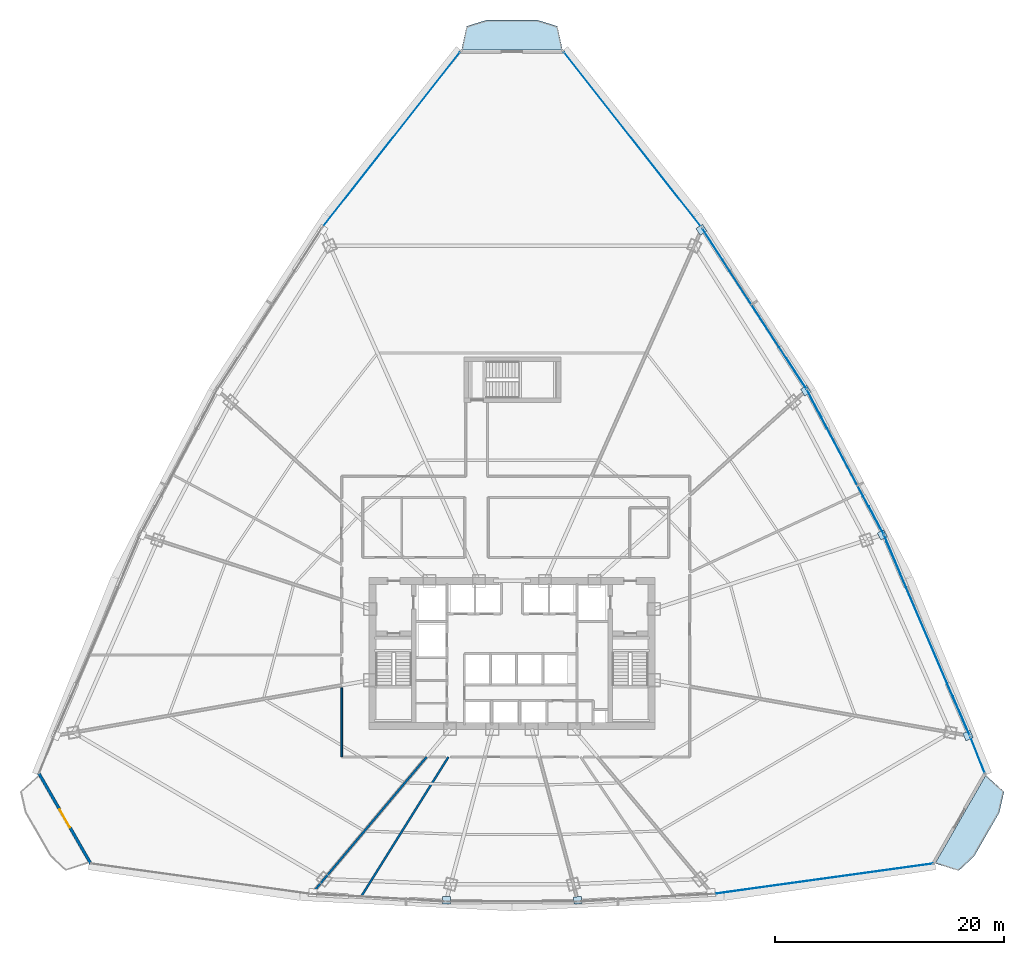
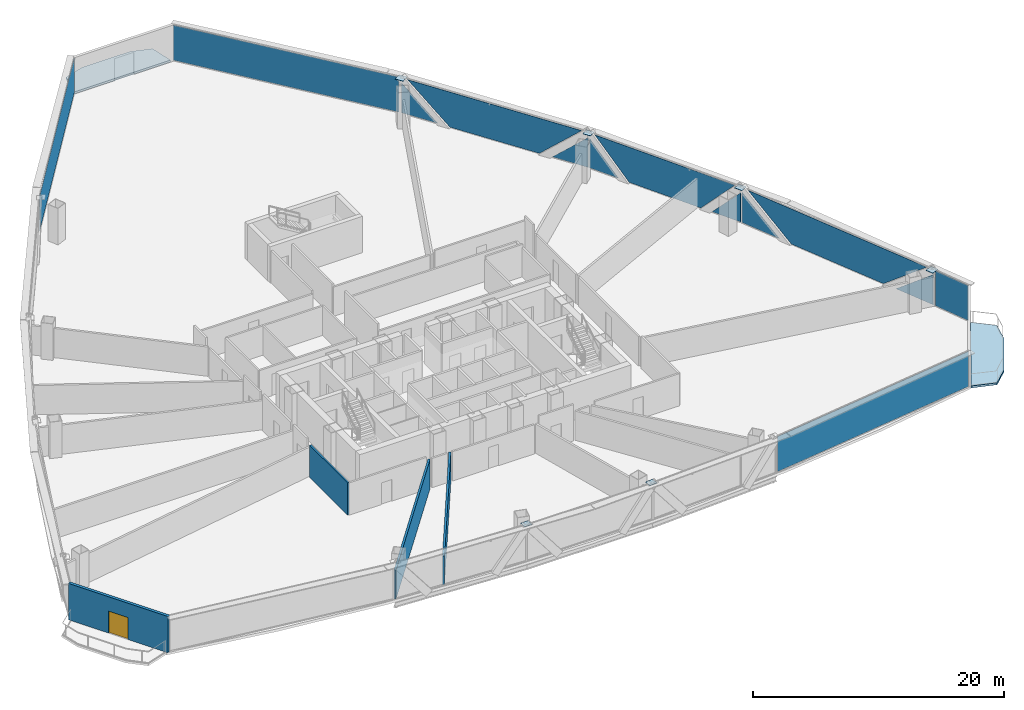
# One storey, part 28 of 36: 19 plates, 4 walls, 2 slabs, 1 door, 1 opening, 7 elements without a shape of their own.
"""IFC4 building model written with IfcOpenShell, lengths in metres."""

from ifc_helpers import new_model, si_unit, direction, frame, frame_2d, origin, origin_with_axes, origin_2d, place, context, subcontext, project, spatial, polyline, rectangle, outline, extrude, source, transform, mapped, material, layer, layer_set, type_object, element, fill, aggregate, save


model = new_model("IFC4")

# Units and contexts
model_context = context("Model", 3, precision=1e-05, world=origin(), true_north=direction((0.0, 1.0)))
body_context = subcontext(model_context, "Body", "Model", "MODEL_VIEW")
ifc_project = project(units=[si_unit("LENGTHUNIT", "METRE"), si_unit("AREAUNIT", "SQUARE_METRE"), si_unit("VOLUMEUNIT", "CUBIC_METRE"), si_unit("PLANEANGLEUNIT", "RADIAN"), si_unit("MASSUNIT", "GRAM", prefix="KILO"), si_unit("THERMODYNAMICTEMPERATUREUNIT", "KELVIN"), si_unit("POWERUNIT", "WATT")], contexts=[model_context])

# Site, building, storey
site_placement = place(None, origin())
site = spatial("IfcSite", under=ifc_project, at=site_placement, CompositionType="ELEMENT")
building_placement = place(site_placement, origin())
building = spatial("IfcBuilding", under=site, at=building_placement, Name="Yunzhuo Pagoda Commons", CompositionType="ELEMENT")
storey_placement = place(building_placement, frame((0.0, 0.0, 107.780029296875)))
storey = spatial("IfcBuildingStorey", under=building, at=storey_placement, Name="L27", CompositionType="ELEMENT", Elevation=107.780029296875)

# Curtain wall, plates
ifc_material_1 = material(Name="Anodized aluminium 6063-T6", Category="aluminium")
ifc_layer_1 = layer(ifc_material_1, 0.1650390625)
ifc_layer_set_1 = layer_set([ifc_layer_1], Name="Anodized aluminium 6063-T6")
curtain_wall_type = type_object("IfcCurtainWallType", Name="CW-LOW Low-Zone Ribbon Curtain Wall", PredefinedType="NOTDEFINED", material=ifc_layer_set_1)
curtain_wall_1_placement = place(storey_placement, origin())
curtain_wall_1 = element("IfcCurtainWall", 1, at=curtain_wall_1_placement, inside=storey, type_object=curtain_wall_type, Name="L27 curtain wall CW-L27-F2B2", PredefinedType="NOTDEFINED")
ifc_material_2 = material(Name="Tempered low-e double glazing", Category="glass")
ifc_layer_2 = layer(ifc_material_2, 0.028076171875)
ifc_layer_set_2 = layer_set([ifc_layer_2], Name="Tempered low-e double glazing")
plate_type_1 = type_object("IfcPlateType", Name="CW-LOW-P Low-E Double Glazing 28", PredefinedType="CURTAIN_PANEL", material=ifc_layer_set_2)
plate_1_placement = place(storey_placement, frame((87.296142578125, 28.39697265625, 1.53173828125), z_axis=(0.919516302226, 0.39305186673, 0.0), x_axis=(-0.39305186673, 0.919516302226, 0.0)))
plate_1 = element("IfcPlate", 2, at=plate_1_placement, type_object=plate_type_1, Name="CW panel 1.1 lite 1", PredefinedType="CURTAIN_PANEL", context=body_context, shape_type="SweptSolid", body=[
    extrude(outline(polyline([(-1.85693359375, -1.4716796875), (1.85693359375, -1.4716796875), (-1.85693359375, 1.4716796875), (-1.85693359375, -1.4716796875)])), origin(), (0.0, 0.0, 1.0), 0.028076171875),
])
plate_2_placement = place(storey_placement, frame((84.25537109375, 35.4345703125, 1.77001953125), z_axis=(0.919516302226, 0.39305186673, 0.0), x_axis=(-0.39305186673, 0.919516302226, 0.0)))
plate_2 = element("IfcPlate", 3, at=plate_2_placement, type_object=plate_type_1, Name="CW panel 1.1 lite 2", PredefinedType="CURTAIN_PANEL", context=body_context, shape_type="SweptSolid", body=[
    extrude(outline(polyline([(-8.90087890625, 1.7099609375), (-4.586181640625, -1.7099609375), (4.586181640625, -1.7099609375), (8.90087890625, 1.7099609375), (-8.90087890625, 1.7099609375)])), origin(), (0.0, 0.0, 1.0), 0.028076171875),
])
plate_3_placement = place(storey_placement, frame((81.269775390625, 42.495849609375, 1.53173828125), z_axis=(0.919516302226, 0.39305186673, 0.0), x_axis=(-0.39305186673, 0.919516302226, 0.0)))
plate_3 = element("IfcPlate", 4, at=plate_3_placement, type_object=plate_type_1, Name="CW panel 1.1 lite 3", PredefinedType="CURTAIN_PANEL", context=body_context, shape_type="SweptSolid", body=[
    extrude(outline(polyline([(-1.85693359375, -1.4716796875), (1.85693359375, -1.4716796875), (1.85693359375, 1.4716796875), (-1.85693359375, -1.4716796875)])), origin(), (0.0, 0.0, 1.0), 0.028076171875),
])
aggregate(curtain_wall_1, [plate_1, plate_2, plate_3])

curtain_wall_2_placement = place(storey_placement, origin())
curtain_wall_2 = element("IfcCurtainWall", 5, at=curtain_wall_2_placement, inside=storey, type_object=curtain_wall_type, Name="L27 curtain wall CW-L27-F2B3", PredefinedType="NOTDEFINED")
plate_4_placement = place(storey_placement, frame((79.85205078125, 45.509765625, 1.48876953125), z_axis=(0.883152288181, 0.469086384241, 0.0), x_axis=(-0.469086384241, 0.883152288181, 0.0)))
plate_4 = element("IfcPlate", 6, at=plate_4_placement, type_object=plate_type_1, Name="CW panel 1.1 lite 1", PredefinedType="CURTAIN_PANEL", context=body_context, shape_type="SweptSolid", body=[
    extrude(outline(polyline([(-1.34765625, -1.4287109375), (1.34765625, -1.4287109375), (-1.34765625, 1.4287109375), (-1.34765625, -1.4287109375)])), origin(), (0.0, 0.0, 1.0), 0.028076171875),
])
plate_5_placement = place(storey_placement, frame((77.125244140625, 50.57958984375, 1.77001953125), z_axis=(0.883152288181, 0.469086384241, 0.0), x_axis=(-0.469086384241, 0.883152288181, 0.0)))
plate_5 = element("IfcPlate", 7, at=plate_5_placement, type_object=plate_type_1, Name="CW panel 1.1 lite 2", PredefinedType="CURTAIN_PANEL", context=body_context, shape_type="SweptSolid", body=[
    extrude(outline(polyline([(-6.590087890625, 1.7099609375), (-3.364013671875, -1.7099609375), (3.364013671875, -1.7099609375), (6.590087890625, 1.7099609375), (-6.590087890625, 1.7099609375)])), origin(), (0.0, 0.0, 1.0), 0.028076171875),
])
plate_6_placement = place(storey_placement, frame((74.45166015625, 55.677490234375, 1.48876953125), z_axis=(0.883152288181, 0.469086384241, 0.0), x_axis=(-0.469086384241, 0.883152288181, 0.0)))
plate_6 = element("IfcPlate", 8, at=plate_6_placement, type_object=plate_type_1, Name="CW panel 1.1 lite 3", PredefinedType="CURTAIN_PANEL", context=body_context, shape_type="SweptSolid", body=[
    extrude(outline(polyline([(-1.34765625, -1.4287109375), (1.34765625, -1.4287109375), (1.34765625, 1.4287109375), (-1.34765625, -1.4287109375)])), origin(), (0.0, 0.0, 1.0), 0.028076171875),
])
aggregate(curtain_wall_2, [plate_4, plate_5, plate_6])

curtain_wall_3_placement = place(storey_placement, origin())
curtain_wall_3 = element("IfcCurtainWall", 9, at=curtain_wall_3_placement, inside=storey, type_object=curtain_wall_type, Name="L27 curtain wall CW-L27-F2B4", PredefinedType="NOTDEFINED")
plate_7_placement = place(storey_placement, frame((72.876953125, 58.331298828125, 1.5146484375), z_axis=(0.839039875799, 0.544069928244, 0.0), x_axis=(-0.544069928244, 0.839039875799, 0.0)))
plate_7 = element("IfcPlate", 10, at=plate_7_placement, type_object=plate_type_1, Name="CW panel 1.1 lite 1", PredefinedType="CURTAIN_PANEL", context=body_context, shape_type="SweptSolid", body=[
    extrude(outline(polyline([(-1.6123046875, -1.45458984375), (1.6123046875, -1.45458984375), (-1.6123046875, 1.454833984375), (-1.6123046875, -1.45458984375)])), origin(), (0.0, 0.0, 1.0), 0.028076171875),
])
plate_8_placement = place(storey_placement, frame((69.181884765625, 63.974853515625, 1.77001953125), z_axis=(0.839039875799, 0.544069928244, 0.0), x_axis=(-0.544069928244, 0.839039875799, 0.0)))
plate_8 = element("IfcPlate", 11, at=plate_8_placement, type_object=plate_type_1, Name="CW panel 1.1 lite 2", PredefinedType="CURTAIN_PANEL", context=body_context, shape_type="SweptSolid", body=[
    extrude(outline(polyline([(-7.7890625, 1.7099609375), (-3.998779296875, -1.7099609375), (3.998779296875, -1.7099609375), (7.7890625, 1.7099609375), (-7.7890625, 1.7099609375)])), origin(), (0.0, 0.0, 1.0), 0.028076171875),
])
plate_9_placement = place(storey_placement, frame((65.537109375, 69.650634765625, 1.5146484375), z_axis=(0.839039875799, 0.544069928244, 0.0), x_axis=(-0.544069928244, 0.839039875799, 0.0)))
plate_9 = element("IfcPlate", 12, at=plate_9_placement, type_object=plate_type_1, Name="CW panel 1.1 lite 3", PredefinedType="CURTAIN_PANEL", context=body_context, shape_type="SweptSolid", body=[
    extrude(outline(polyline([(-1.6123046875, -1.45458984375), (1.6123046875, -1.45458984375), (1.6123046875, 1.454833984375), (-1.6123046875, -1.45458984375)])), origin(), (0.0, 0.0, 1.0), 0.028076171875),
])
aggregate(curtain_wall_3, [plate_7, plate_8, plate_9])

# Slabs
ifc_material_3 = material(Name="Concrete C40", Category="concrete")
ifc_layer_3 = layer(ifc_material_3, 0.199951171875)
ifc_layer_set_3 = layer_set([ifc_layer_3], Name="Concrete C40")
slab_type = type_object("IfcSlabType", Name="SL-BAL Vertex Balcony Deck Slab 200", PredefinedType="FLOOR", material=ifc_layer_set_3)
slab_1_placement = place(storey_placement, frame((0.0, 0.0, -0.199951171875)))
element("IfcSlab", 13, at=slab_1_placement, inside=storey, type_object=slab_type, Name="L27 corner balcony V2", PredefinedType="FLOOR", context=body_context, shape_type="SweptSolid", body=[
    extrude(outline(polyline([(85.02734375, 15.49072265625), (89.449462890625, 23.1923828125), (91.042236328125, 21.7587890625), (90.6376953125, 19.949951171875), (88.426513671875, 16.09912109375), (87.068115234375, 14.837890625), (85.02734375, 15.49072265625)])), origin(), (0.0, 0.0, 1.0), 0.199951171875),
])
slab_2_placement = place(storey_placement, frame((0.0, 0.0, -0.199951171875)))
element("IfcSlab", 14, at=slab_2_placement, inside=storey, type_object=slab_type, Name="L27 corner balcony V3", PredefinedType="FLOOR", context=body_context, shape_type="SweptSolid", body=[
    extrude(outline(polyline([(52.422119140625, 86.6240234375), (43.577880859375, 86.6240234375), (44.02783203125, 88.718994140625), (45.788818359375, 89.26904296875), (50.211181640625, 89.26904296875), (51.97216796875, 88.718994140625), (52.422119140625, 86.6240234375)])), origin(), (0.0, 0.0, 1.0), 0.199951171875),
])

# Plates
ifc_material_4 = material(Name="Structural steel Q355B", Category="steel")
ifc_layer_4 = layer(ifc_material_4, 0.028076171875)
ifc_layer_set_4 = layer_set([ifc_layer_4], Name="Structural steel Q355B")
plate_type_2 = type_object("IfcPlateType", Name="SP-ND1 Lattice Node Cap Plate 800x500x28", PredefinedType="USERDEFINED", material=ifc_layer_set_4)
shared_shape_1 = source(origin(), body_context, "Body", "SweptSolid", [
    extrude(rectangle(XDim=0.699951171875, YDim=0.631591796875, at=origin_2d()), origin(), (0.0, 0.0, 1.0), 0.035888671875),
])
plate_10_placement = place(storey_placement, frame((73.69677734375, 56.83740234375, 3.501953125), z_axis=(0.0, 0.0, 1.0), x_axis=(-0.54406804394, 0.839041097661, 0.0)))
element("IfcPlate", 15, at=plate_10_placement, inside=storey, type_object=plate_type_2, Name="L27 setback lattice tie plate F2.3L", ObjectType="STIFFENER_PLATE", PredefinedType="USERDEFINED", context=body_context, shape_type="MappedRepresentation", body=[
    mapped(shared_shape_1, transform((0.0, 0.0, 0.0), scale=1.0)),
])
shared_shape_2 = source(origin(), body_context, "Body", "SweptSolid", [
    extrude(rectangle(XDim=0.699951171875, YDim=0.694091796875, at=origin_2d()), origin(), (0.0, 0.0, 1.0), 0.035888671875),
])
plate_11_placement = place(storey_placement, frame((87.895263671875, 26.665283203125, 3.501953125), z_axis=(0.0, 0.0, 1.0), x_axis=(-0.393059421637, 0.919513072807, 0.0)))
element("IfcPlate", 16, at=plate_11_placement, inside=storey, type_object=plate_type_2, Name="L27 setback lattice tie plate F2.1L", ObjectType="STIFFENER_PLATE", PredefinedType="USERDEFINED", context=body_context, shape_type="MappedRepresentation", body=[
    mapped(shared_shape_2, transform((0.0, 0.0, 0.0), scale=1.0)),
])
shared_shape_3 = source(origin(), body_context, "Body", "SweptSolid", [
    extrude(rectangle(XDim=0.699951171875, YDim=0.6328125, at=origin_2d()), origin(), (0.0, 0.0, 1.0), 0.035888671875),
])
plate_12_placement = place(storey_placement, frame((80.392578125, 44.22509765625, 3.501953125), z_axis=(0.0, 0.0, 1.0), x_axis=(-0.469086259542, 0.883152354415, 0.0)))
element("IfcPlate", 17, at=plate_12_placement, inside=storey, type_object=plate_type_2, Name="L27 setback lattice tie plate F2.2L", ObjectType="STIFFENER_PLATE", PredefinedType="USERDEFINED", context=body_context, shape_type="MappedRepresentation", body=[
    mapped(shared_shape_3, transform((0.0, 0.0, 0.0), scale=1.0)),
])
shared_shape_4 = source(origin(), body_context, "Body", "SweptSolid", [
    extrude(rectangle(XDim=0.699951171875, YDim=0.622314453125, at=origin_2d()), origin(), (0.0, 0.0, 1.0), 0.035888671875),
])
for number, where, z_axis, x_axis, name in (
    (18, (42.2548828125, 12.259521484375, 3.501953125), (0.0, 0.0, 1.0), (1.0, 0.0, 0.0), "L27 setback lattice tie plate F1.2L"),
    (19, (53.7451171875, 12.259521484375, 3.501953125), (0.0, 0.0, 1.0), (0.998365841392, 0.057145837479, 0.0), "L27 setback lattice tie plate F1.3L"),
):
    element("IfcPlate", number, at=place(storey_placement, frame(where, z_axis=z_axis, x_axis=x_axis)), inside=storey, type_object=plate_type_2, Name=name, ObjectType="STIFFENER_PLATE", PredefinedType="USERDEFINED", context=body_context, shape_type="MappedRepresentation", body=[
        mapped(shared_shape_4, transform((0.0, 0.0, 0.0), scale=1.0)),
    ])
shared_shape_5 = source(origin(), body_context, "Body", "SweptSolid", [
    extrude(rectangle(XDim=0.699951171875, YDim=0.67919921875, at=origin_2d()), origin(), (0.0, 0.0, 1.0), 0.035888671875),
])
plate_13_placement = place(storey_placement, frame((64.5693359375, 70.915283203125, 3.501953125), z_axis=(0.0, 0.0, 1.0), x_axis=(-0.54406804394, 0.839041097661, 0.0)))
element("IfcPlate", 20, at=plate_13_placement, inside=storey, type_object=plate_type_2, Name="L27 setback lattice tie plate F2.3R", ObjectType="STIFFENER_PLATE", PredefinedType="USERDEFINED", context=body_context, shape_type="MappedRepresentation", body=[
    mapped(shared_shape_5, transform((0.0, 0.0, 0.0), scale=1.0)),
])

# Curtain wall, plate
curtain_wall_4_placement = place(storey_placement, origin())
curtain_wall_4 = element("IfcCurtainWall", 21, at=curtain_wall_4_placement, inside=storey, type_object=curtain_wall_type, Name="L27 curtain wall CW-L27-F1B5", PredefinedType="NOTDEFINED")
shared_shape_6 = source(origin(), body_context, "Body", "SweptSolid", [
    extrude(rectangle(XDim=19.3056640625, YDim=0.028076171875, at=origin_2d()), origin(), (0.0, 0.0, 1.0), 3.419921875),
])
plate_14_placement = place(storey_placement, frame((75.23681640625, 14.143310546875, 0.06005859375), z_axis=(0.0, 0.0, 1.0), x_axis=(0.990559671801, 0.137082225692, 0.0)))
plate_14 = element("IfcPlate", 22, at=plate_14_placement, type_object=plate_type_1, Name="CW panel 1.1", PredefinedType="CURTAIN_PANEL", context=body_context, shape_type="MappedRepresentation", body=[
    mapped(shared_shape_6, transform((0.0, 0.0, 0.0), scale=1.0)),
])
aggregate(curtain_wall_4, [plate_14])

curtain_wall_5_placement = place(storey_placement, origin())
curtain_wall_5 = element("IfcCurtainWall", 23, at=curtain_wall_5_placement, inside=storey, type_object=curtain_wall_type, Name="L27 curtain wall CW-L27-F2B1", PredefinedType="NOTDEFINED")
shared_shape_7 = source(origin(), body_context, "Body", "SweptSolid", [
    extrude(rectangle(XDim=3.34130859375, YDim=0.028076171875, at=origin_2d()), origin(), (0.0, 0.0, 1.0), 3.419921875),
])
plate_15_placement = place(storey_placement, frame((88.736083984375, 24.953857421875, 0.06005859375), z_axis=(0.0, 0.0, 1.0), x_axis=(-0.370829373424, 0.928701015293, 0.0)))
plate_15 = element("IfcPlate", 24, at=plate_15_placement, type_object=plate_type_1, Name="CW panel 1.1", PredefinedType="CURTAIN_PANEL", context=body_context, shape_type="MappedRepresentation", body=[
    mapped(shared_shape_7, transform((0.0, 0.0, 0.0), scale=1.0)),
])
aggregate(curtain_wall_5, [plate_15])

curtain_wall_6_placement = place(storey_placement, origin())
curtain_wall_6 = element("IfcCurtainWall", 25, at=curtain_wall_6_placement, inside=storey, type_object=curtain_wall_type, Name="L27 curtain wall CW-L27-F2B5", PredefinedType="NOTDEFINED")
shared_shape_8 = source(origin(), body_context, "Body", "SweptSolid", [
    extrude(rectangle(XDim=19.41015625, YDim=0.028076171875, at=origin_2d()), origin(), (0.0, 0.0, 1.0), 3.419921875),
])
plate_16_placement = place(storey_placement, frame((58.553466796875, 78.806884765625, 0.06005859375), z_axis=(0.0, 0.0, 1.0), x_axis=(-0.617843475253, 0.786301112862, 0.0)))
plate_16 = element("IfcPlate", 26, at=plate_16_placement, type_object=plate_type_1, Name="CW panel 1.1", PredefinedType="CURTAIN_PANEL", context=body_context, shape_type="MappedRepresentation", body=[
    mapped(shared_shape_8, transform((0.0, 0.0, 0.0), scale=1.0)),
])
aggregate(curtain_wall_6, [plate_16])

curtain_wall_7_placement = place(storey_placement, origin())
curtain_wall_7 = element("IfcCurtainWall", 27, at=curtain_wall_7_placement, inside=storey, type_object=curtain_wall_type, Name="L27 curtain wall CW-L27-F3B1", PredefinedType="NOTDEFINED")
plate_17_placement = place(storey_placement, frame((37.446533203125, 78.806884765625, 0.06005859375), z_axis=(0.0, 0.0, 1.0), x_axis=(-0.617843475253, -0.786301112862, 0.0)))
plate_17 = element("IfcPlate", 28, at=plate_17_placement, type_object=plate_type_1, Name="CW panel 1.1", PredefinedType="CURTAIN_PANEL", context=body_context, shape_type="MappedRepresentation", body=[
    mapped(shared_shape_8, transform((0.0, 0.0, 0.0), scale=1.0)),
])
aggregate(curtain_wall_7, [plate_17])

# Wall, opening, door
ifc_material_5 = material(Name="Precast concrete C40", Category="concrete")
ifc_layer_5 = layer(ifc_material_5, 0.260009765625)
ifc_layer_set_5 = layer_set([ifc_layer_5], Name="Precast concrete C40")
wall_type_1 = type_object("IfcWallType", Name="W-BAL1 Corner Balcony Threshold Wall 260", PredefinedType="STANDARD", material=ifc_layer_set_5)
wall_1_placement = place(storey_placement, frame((6.593017578125, 23.3896484375, 0.0), z_axis=(0.0, 0.0, 1.0), x_axis=(0.497913445573, -0.867226729707, 0.0)))
wall_1 = element("IfcWall", 29, at=wall_1_placement, inside=storey, type_object=wall_type_1, Name="L27 corner balcony wall V1", PredefinedType="STANDARD", context=body_context, shape_type="SweptSolid", body=[
    extrude(rectangle(XDim=9.180908203125, YDim=0.260009765625, at=frame_2d((4.59033203125, 0.0))), origin(), (0.0, 0.0, 1.0), 3.5400390625),
])
opening_placement = place(wall_1_placement, frame((3.6904296875, 0.0, 0.0)))
opening = element("IfcOpeningElement", 30, at=opening_placement, cuts=wall_1, Name="Opening D-BAL1", PredefinedType="OPENING", context=body_context, shape_type="SweptSolid", body=[
    extrude(rectangle(XDim=1.800048828125, YDim=2.14990234375, at=frame_2d((0.89990234375, 1.074951171875))), frame((0.0, 0.14013671875, 0.0), z_axis=(0.0, -1.0, 0.0), x_axis=(1.0, 0.0, 0.0)), (0.0, 0.0, 1.0), 0.280029296875),
])
ifc_material_6 = material(Name="Anodized aluminium frame and tempered glazed leaf", Category="aluminium")
door_type = type_object("IfcDoorType", Name="D-BAL1 Corner Balcony Sliding Glazed Door 1800x2150", OperationType="DOUBLE_DOOR_SLIDING", PredefinedType="DOOR", material=ifc_material_6)
shared_shape_9 = source(origin(), body_context, "Body", "SweptSolid", [
    extrude(rectangle(XDim=1.800048828125, YDim=2.14990234375, at=frame_2d((0.89990234375, 1.074951171875))), frame((0.0, 0.02490234375, 0.0), z_axis=(0.0, -1.0, 0.0), x_axis=(1.0, 0.0, 0.0)), (0.0, 0.0, 1.0), 0.050048828125),
])
door_placement = place(opening_placement, origin_with_axes())
door = element("IfcDoor", 31, at=door_placement, inside=storey, type_object=door_type, Name="L27 corner balcony sliding door V1", OperationType="DOUBLE_DOOR_SLIDING", OverallHeight=2.14990234375, OverallWidth=1.800048828125, PredefinedType="DOOR", context=body_context, shape_type="MappedRepresentation", body=[
    mapped(shared_shape_9, transform((0.0, 0.0, 0.0), scale=1.0)),
])
fill(opening, door)

# Walls
ifc_material_7 = material(Name="Gypsum plasterboard on acoustic stud")
ifc_layer_6 = layer(ifc_material_7, 0.159912109375)
ifc_layer_set_6 = layer_set([ifc_layer_6], Name="Gypsum plasterboard on acoustic stud")
wall_type_2 = type_object("IfcWallType", Name="W-COR1 Tower Rated Corridor Wall 160", PredefinedType="PARTITIONING", material=ifc_layer_set_6)
wall_2_placement = place(storey_placement, frame((33.10009765625, 24.800048828125, 0.0), z_axis=(0.0, 0.0, 1.0), x_axis=(0.0, 1.0, 0.0)))
element("IfcWall", 32, at=wall_2_placement, inside=storey, type_object=wall_type_2, Name="L27 interior wall IW-L27-CWL01", PredefinedType="PARTITIONING", context=body_context, shape_type="SweptSolid", body=[
    extrude(rectangle(XDim=6.04931640625, YDim=0.159912109375, at=frame_2d((3.024658203125, 0.0))), origin(), (0.0, 0.0, 1.0), 3.139892578125),
])
ifc_layer_7 = layer(ifc_material_7, 0.179931640625)
ifc_layer_set_7 = layer_set([ifc_layer_7], Name="Gypsum plasterboard on acoustic stud")
wall_type_3 = type_object("IfcWallType", Name="W-PRT2 Acoustic Unit Demising Wall 180", PredefinedType="PARTITIONING", material=ifc_layer_set_7)
wall_3_placement = place(storey_placement, frame((40.531982421875, 24.800048828125, 0.0), z_axis=(0.0, 0.0, 1.0), x_axis=(-0.642779306778, -0.76605141001, 0.0)))
element("IfcWall", 33, at=wall_3_placement, inside=storey, type_object=wall_type_3, Name="L27 interior wall IW-L27-RAD09", PredefinedType="PARTITIONING", context=body_context, shape_type="SweptSolid", body=[
    extrude(rectangle(XDim=15.663818359375, YDim=0.179931640625, at=frame_2d((7.83203125, 0.0))), origin(), (0.0, 0.0, 1.0), 2.840087890625),
])
wall_4_placement = place(storey_placement, frame((42.438720703125, 24.800048828125, 0.0), z_axis=(0.0, 0.0, 1.0), x_axis=(-0.529922955224, -0.848045789758, 0.0)))
element("IfcWall", 34, at=wall_4_placement, inside=storey, type_object=wall_type_3, Name="L27 interior wall IW-L27-RAD10", PredefinedType="PARTITIONING", context=body_context, shape_type="SweptSolid", body=[
    extrude(rectangle(XDim=14.44091796875, YDim=0.179931640625, at=frame_2d((7.220458984375, 0.0))), origin(), (0.0, 0.0, 1.0), 2.840087890625),
])

save(model, "model.ifc")
